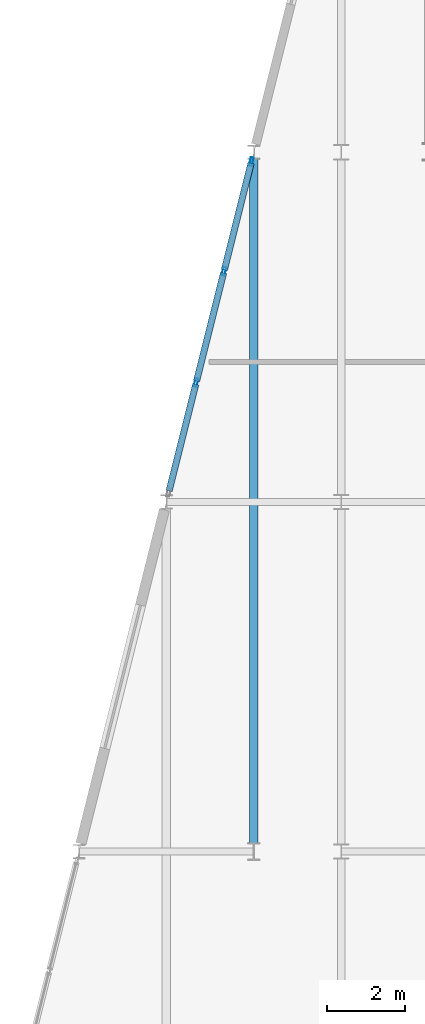
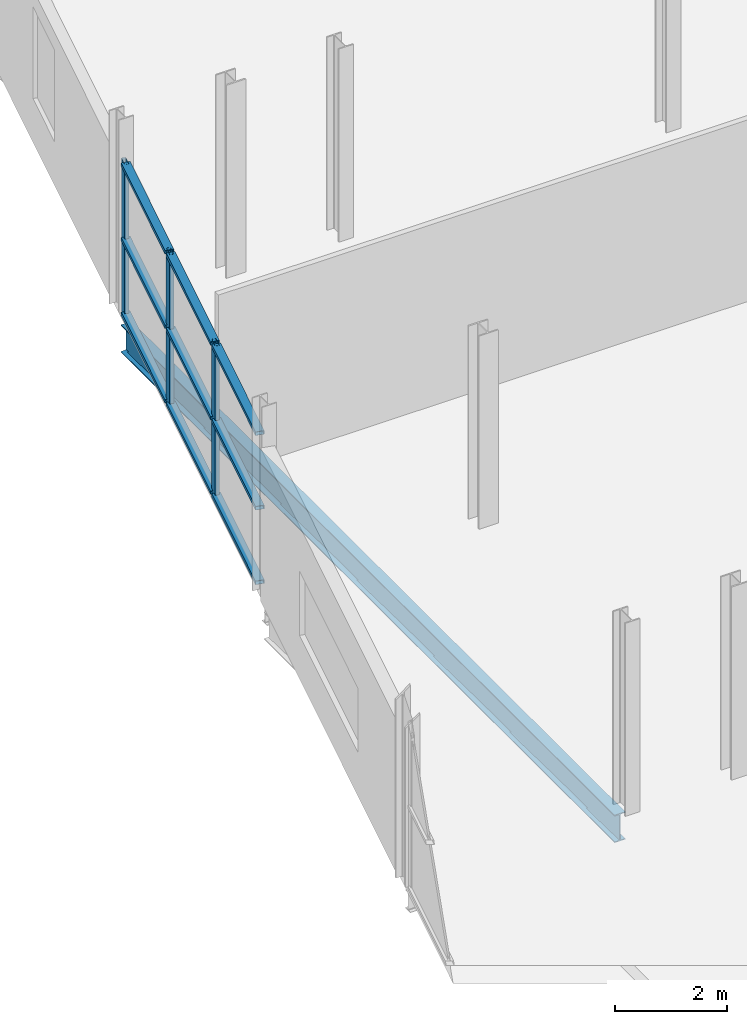
# One storey, part 57 of 140: 12 members, 1 beam, 1 element without a shape of its own.
"""IFC4 building model written with IfcOpenShell, lengths in metres."""

import ifcopenshell
import ifcopenshell.guid

model = None  # the IFC model being written
_history = None  # IfcOwnerHistory: only IFC2X3 demands one
_inside = {}  # id of a spatial element -> (the spatial element, [elements in it])
_under = {}  # id of a project, library or spatial element -> (it, [spatial elements below it])
_declared = {}  # id of a project -> (the project, [libraries it declares])
_typed = {}  # id of a type object -> (the type object, [elements of that type])
_made_of = {}  # id of a material, layer set ... -> (it, [elements and type objects made of it])


def new_model(schema):
    """Start an empty IFC model of exactly this schema.

    Asked for "IFC4X3", IfcOpenShell would pick the latest addendum, in which some entities
    have other attributes; the version numbers below select the first issue.
    IFC2X3 requires an IfcOwnerHistory on every rooted entity: one is made here for all.
    """
    global model, _history
    if schema == "IFC4X3":
        model = ifcopenshell.file(schema_version=(4, 3, 0, 0))
    else:
        model = ifcopenshell.file(schema=schema)
    _inside.clear()
    _under.clear()
    _declared.clear()
    _typed.clear()
    _made_of.clear()
    _history = None
    if model.schema == "IFC2X3":
        org = make("IfcOrganization", Name="unknown")
        user = make(
            "IfcPersonAndOrganization",
            ThePerson=make("IfcPerson", FamilyName="unknown"),
            TheOrganization=org,
        )
        app = make(
            "IfcApplication",
            ApplicationDeveloper=org,
            Version="unknown",
            ApplicationFullName="unknown",
            ApplicationIdentifier="unknown",
        )
        _history = make(
            "IfcOwnerHistory",
            OwningUser=user,
            OwningApplication=app,
            ChangeAction="ADDED",
            CreationDate=0,
        )
    return model


def make(cls, **values):
    """One entity of the class cls with the attributes given. An attribute that is None is left unset."""
    return model.create_entity(
        cls, **{name: value for name, value in values.items() if value is not None}
    )


def rooted(cls, **values):
    """An entity with a GlobalId (a new one), such as an element, a storey or a relation."""
    return make(cls, GlobalId=ifcopenshell.guid.new(), OwnerHistory=_history, **values)


def si_unit(unit_type, name, prefix=None):
    """IfcSIUnit, for example si_unit("LENGTHUNIT", "METRE", prefix="MILLI")."""
    return make("IfcSIUnit", UnitType=unit_type, Prefix=prefix, Name=name)


def assignment(units):
    """IfcUnitAssignment: the units of a project."""
    return None if units is None else make("IfcUnitAssignment", Units=units)


def point(xyz):
    """IfcCartesianPoint."""
    return None if xyz is None else make("IfcCartesianPoint", Coordinates=xyz)


def direction(xyz):
    """IfcDirection."""
    return None if xyz is None else make("IfcDirection", DirectionRatios=xyz)


def frame(location, z_axis=None, x_axis=None):
    """IfcAxis2Placement3D, a coordinate frame: its origin and axes. An axis left out is left unset."""
    return make(
        "IfcAxis2Placement3D",
        Location=point(location),
        Axis=direction(z_axis),
        RefDirection=direction(x_axis),
    )


def frame_2d(location, x_axis=None):
    """IfcAxis2Placement2D, a coordinate frame in the plane: its origin and x axis."""
    return make(
        "IfcAxis2Placement2D", Location=point(location), RefDirection=direction(x_axis)
    )


def origin():
    """The frame at (0, 0, 0) with its axes left unset."""
    return frame((0.0, 0.0, 0.0))


def origin_2d():
    """The frame at (0, 0) in the plane with its x axis left unset."""
    return frame_2d((0.0, 0.0))


def place(relative_to, where):
    """IfcLocalPlacement: puts the frame where relative to a parent placement (None: the world)."""
    return make(
        "IfcLocalPlacement", PlacementRelTo=relative_to, RelativePlacement=where
    )


def context(
    kind, dimensions, precision=None, world=None, true_north=None, identifier=None
):
    """IfcGeometricRepresentationContext, for example the 3D "Model" context."""
    return make(
        "IfcGeometricRepresentationContext",
        ContextIdentifier=identifier,
        ContextType=kind,
        CoordinateSpaceDimension=dimensions,
        Precision=precision,
        WorldCoordinateSystem=world,
        TrueNorth=true_north,
    )


def subcontext(parent, identifier, kind, view, scale=None):
    """IfcGeometricRepresentationSubContext, for example "Body" below "Model"."""
    return make(
        "IfcGeometricRepresentationSubContext",
        ContextIdentifier=identifier,
        ContextType=kind,
        ParentContext=parent,
        TargetScale=scale,
        TargetView=view,
    )


def project(units=None, contexts=None):
    """IfcProject with its units and contexts."""
    return rooted(
        "IfcProject",
        Name="project",
        RepresentationContexts=contexts,
        UnitsInContext=assignment(units),
    )


def spatial(cls, under=None, at=None, **own):
    """A site, building, storey or space (cls), placed at a placement, below another one or the project."""
    s = rooted(cls, ObjectPlacement=at, **own)
    if under is not None:
        _under.setdefault(under.id(), (under, []))[1].append(s)
    return s


def profile(cls, at=None, kind="AREA", **sizes):
    """A parametric profile (cls). Its sizes go by their IFC names, for example OverallWidth=200.0."""
    return make(cls, ProfileType=kind, Position=at, **sizes)


def hollow_rectangle(**sizes):
    """IfcRectangleHollowProfileDef."""
    return profile("IfcRectangleHollowProfileDef", **sizes)


def i_section(**sizes):
    """IfcIShapeProfileDef."""
    return profile("IfcIShapeProfileDef", **sizes)


def extrude(swept, where, along, depth):
    """IfcExtrudedAreaSolid: the profile swept, set in the frame where, extruded along a direction by depth."""
    return make(
        "IfcExtrudedAreaSolid",
        SweptArea=swept,
        Position=where,
        ExtrudedDirection=direction(along),
        Depth=depth,
    )


def shape(context_of_items, identifier, shape_type, items):
    """IfcShapeRepresentation: the items that make up one representation, for example the "Body"."""
    return make(
        "IfcShapeRepresentation",
        ContextOfItems=context_of_items,
        RepresentationIdentifier=identifier,
        RepresentationType=shape_type,
        Items=items,
    )


def material(Name=None, Category=None):
    """IfcMaterial."""
    return make("IfcMaterial", Name=Name, Category=Category)


def layer(
    of_material, thickness, ventilated=None, Name=None, Category=None, Priority=None
):
    """IfcMaterialLayer: one layer of a wall or slab, of a material (None: an air gap)."""
    return make(
        "IfcMaterialLayer",
        Material=of_material,
        LayerThickness=thickness,
        IsVentilated=ventilated,
        Name=Name,
        Category=Category,
        Priority=Priority,
    )


def layer_set(layers, Name=None):
    """IfcMaterialLayerSet."""
    return make("IfcMaterialLayerSet", MaterialLayers=layers, LayerSetName=Name)


def material_profile(
    of_material, cross_section, Name=None, Category=None, Priority=None
):
    """IfcMaterialProfile: a cross section and its material."""
    return make(
        "IfcMaterialProfile",
        Name=Name,
        Material=of_material,
        Profile=cross_section,
        Priority=Priority,
        Category=Category,
    )


def profile_set(profiles, Name=None, composite=None):
    """IfcMaterialProfileSet."""
    return make(
        "IfcMaterialProfileSet",
        Name=Name,
        MaterialProfiles=profiles,
        CompositeProfile=composite,
    )


def made_of(thing, what):
    """Note that an element or type object is made of a material, layer set ...; save() writes the relation."""
    if what is not None:
        _made_of.setdefault(what.id(), (what, []))[1].append(thing)
    return thing


def type_object(cls, material=None, **own):
    """A type object (cls), such as IfcWallType, which elements share."""
    return made_of(rooted(cls, **own), material)


def element(
    cls,
    number,
    at=None,
    inside=None,
    cuts=None,
    type_object=None,
    material=None,
    context=None,
    identifier="Body",
    shape_type=None,
    held_by="IfcProductDefinitionShape",
    body=None,
    shapes=None,
    **own,
):
    """One element of the class cls, such as IfcWall. Its Tag is "e" and its number.

    at: its placement. inside: the storey or other place that contains it. cuts: it is an
    opening in that element (IfcRelVoidsElement). A single representation is given by context,
    identifier, shape_type and body (its items); several are given by shapes. held_by: the class
    of the entity that holds the representations. save() writes the other relations.
    """
    e = rooted(cls, Tag="e%d" % number, ObjectPlacement=at, **own)
    if body is not None:
        shapes = [shape(context, identifier, shape_type, body)]
    if shapes is not None:
        e.Representation = make(held_by, Representations=shapes)
    if inside is not None:
        _inside.setdefault(inside.id(), (inside, []))[1].append(e)
    if cuts is not None:
        rooted(
            "IfcRelVoidsElement", RelatingBuildingElement=cuts, RelatedOpeningElement=e
        )
    if type_object is not None:
        _typed.setdefault(type_object.id(), (type_object, []))[1].append(e)
    return made_of(e, material)


def aggregate(whole, parts):
    """IfcRelAggregates: a whole, such as a stair, and the parts it consists of."""
    return rooted("IfcRelAggregates", RelatingObject=whole, RelatedObjects=parts)


def save(model, path):
    """Write the relations noted so far, then the file.

    IfcRelAggregates (storeys below a building ...), IfcRelContainedInSpatialStructure (elements
    in a storey), IfcRelDefinesByType, IfcRelAssociatesMaterial and IfcRelDeclares: one each for
    every whole, place, type object, material and project.
    """
    for whole, parts in _under.values():
        aggregate(whole, parts)
    for where, things in _inside.values():
        rooted(
            "IfcRelContainedInSpatialStructure",
            RelatedElements=things,
            RelatingStructure=where,
        )
    for kind, things in _typed.values():
        rooted("IfcRelDefinesByType", RelatedObjects=things, RelatingType=kind)
    for what, things in _made_of.values():
        rooted("IfcRelAssociatesMaterial", RelatedObjects=things, RelatingMaterial=what)
    for by, libraries in _declared.values():
        rooted("IfcRelDeclares", RelatingContext=by, RelatedDefinitions=libraries)
    model.write(path)


model = new_model("IFC4")

# Units and contexts
model_context = context("Model", 3, precision=1e-05, world=origin(), true_north=direction((0.0, 1.0)))
body_context = subcontext(model_context, "Body", "Model", "MODEL_VIEW")
ifc_project = project(units=[si_unit("LENGTHUNIT", "METRE"), si_unit("AREAUNIT", "SQUARE_METRE"), si_unit("VOLUMEUNIT", "CUBIC_METRE"), si_unit("PLANEANGLEUNIT", "RADIAN"), si_unit("MASSUNIT", "GRAM", prefix="KILO")], contexts=[model_context])

# Site, building, storey
site_placement = place(None, origin())
site = spatial("IfcSite", under=ifc_project, at=site_placement, CompositionType="ELEMENT")
building_placement = place(site_placement, origin())
building = spatial("IfcBuilding", under=site, at=building_placement, Name="Deido Ridge Mobility Hub", CompositionType="ELEMENT")
storey_placement = place(building_placement, origin())
storey = spatial("IfcBuildingStorey", under=building, at=storey_placement, Name="L00", CompositionType="ELEMENT", Elevation=0.0)

# Beam
ifc_material_1 = material(Name="Steel S355J2 EN 10025-2", Category="steel")
ifc_material_profile_1 = material_profile(ifc_material_1, i_section(OverallWidth=0.219970703125, OverallDepth=0.60009765625, WebThickness=0.011962890625, FlangeThickness=0.01904296875, FilletRadius=0.02392578125, at=origin_2d()), Name="IPE 600")
ifc_profile_set_1 = profile_set([ifc_material_profile_1], Name="Steel S355J2 EN 10025-2")
beam_type = type_object("IfcBeamType", Name="BM-IPE600", PredefinedType="BEAM", material=ifc_profile_set_1)
beam_placement = place(storey_placement, frame((123.75, 9.22509765625, -0.56005859375), z_axis=(0.0, 1.0, 0.0), x_axis=(-1.0, 0.0, 0.0)))
element("IfcBeam", 1, at=beam_placement, inside=storey, type_object=beam_type, Name="Floor beam B1", PredefinedType="BEAM", context=body_context, shape_type="SweptSolid", body=[
    extrude(i_section(OverallWidth=0.219970703125, OverallDepth=0.60009765625, WebThickness=0.011962890625, FlangeThickness=0.01904296875, FilletRadius=0.02392578125, at=origin_2d()), origin(), (0.0, 0.0, 1.0), 17.594970703125),
])

# Curtain wall, members
ifc_material_2 = material(Name="Anodised aluminium EN AW-6063 T6", Category="aluminium")
ifc_layer = layer(ifc_material_2, 0.27001953125, Name="Anodised aluminium EN AW-6063 T6")
ifc_layer_set = layer_set([ifc_layer], Name="Anodised aluminium EN AW-6063 T6")
curtain_wall_type = type_object("IfcCurtainWallType", Name="CW-UF-8", PredefinedType="USERDEFINED", material=ifc_layer_set)
curtain_wall_placement = place(storey_placement, origin())
curtain_wall = element("IfcCurtainWall", 2, at=curtain_wall_placement, inside=storey, type_object=curtain_wall_type, Name="Unitised curtain wall CW8", ObjectType="UNITISED FACADE", PredefinedType="USERDEFINED")
ifc_material_profile_2 = material_profile(ifc_material_2, hollow_rectangle(XDim=0.080078125, YDim=0.219970703125, WallThickness=0.00390625, at=origin_2d()), Name="RHS 80x220x4")
ifc_profile_set_2 = profile_set([ifc_material_profile_2], Name="Anodised aluminium EN AW-6063 T6")
member_type_1 = type_object("IfcMemberType", Name="MEM-MUL-80X220", PredefinedType="MULLION", material=ifc_profile_set_2)
member_1_placement = place(storey_placement, frame((122.26708984375, 21.068115234375, 0.0), z_axis=(0.0, 0.0, 1.0), x_axis=(-0.970143828731, 0.242530310632, 0.0)))
member_1 = element("IfcMember", 3, at=member_1_placement, type_object=member_type_1, Name="CW8 mullion 2", PredefinedType="MULLION", context=body_context, shape_type="SweptSolid", body=[
    extrude(hollow_rectangle(XDim=0.080078125, YDim=0.219970703125, WallThickness=0.00390625, at=origin_2d()), origin(), (0.0, 0.0, 1.0), 3.324951171875),
])
member_2_placement = place(storey_placement, frame((122.98291015625, 23.931884765625, 0.0), z_axis=(0.0, 0.0, 1.0), x_axis=(-0.970143828731, 0.242530310632, 0.0)))
member_2 = element("IfcMember", 4, at=member_2_placement, type_object=member_type_1, Name="CW8 mullion 3", PredefinedType="MULLION", context=body_context, shape_type="SweptSolid", body=[
    extrude(hollow_rectangle(XDim=0.080078125, YDim=0.219970703125, WallThickness=0.00390625, at=origin_2d()), origin(), (0.0, 0.0, 1.0), 3.324951171875),
])
member_3_placement = place(storey_placement, frame((123.689208984375, 26.756591796875, 0.0), z_axis=(0.0, 0.0, 1.0), x_axis=(-0.970143828731, 0.242530310632, 0.0)))
member_3 = element("IfcMember", 5, at=member_3_placement, type_object=member_type_1, Name="CW8 mullion 4", PredefinedType="MULLION", context=body_context, shape_type="SweptSolid", body=[
    extrude(hollow_rectangle(XDim=0.080078125, YDim=0.219970703125, WallThickness=0.00390625, at=origin_2d()), origin(), (0.0, 0.0, 1.0), 3.324951171875),
])
ifc_material_profile_3 = material_profile(ifc_material_2, hollow_rectangle(XDim=0.1650390625, YDim=0.080078125, WallThickness=0.00390625, at=origin_2d()), Name="RHS 165x80x4")
ifc_profile_set_3 = profile_set([ifc_material_profile_3], Name="Anodised aluminium EN AW-6063 T6")
member_type_2 = type_object("IfcMemberType", Name="MEM-TRN-165X80", PredefinedType="USERDEFINED", material=ifc_profile_set_3)
member_4_placement = place(storey_placement, frame((121.570556640625, 18.2822265625, 0.0400390625), z_axis=(0.242515339725, 0.970147571248, 0.0), x_axis=(-0.970147571248, 0.242515339725, 0.0)))
member_4 = element("IfcMember", 6, at=member_4_placement, type_object=member_type_2, Name="CW8 transom 1.1", ObjectType="TRANSOM", PredefinedType="USERDEFINED", context=body_context, shape_type="SweptSolid", body=[
    extrude(hollow_rectangle(XDim=0.1650390625, YDim=0.080078125, WallThickness=0.00390625, at=origin_2d()), origin(), (0.0, 0.0, 1.0), 2.831787109375),
])
member_5_placement = place(storey_placement, frame((121.570556640625, 18.2822265625, 1.66259765625), z_axis=(0.242515339725, 0.970147571248, 0.0), x_axis=(-0.970147571248, 0.242515339725, 0.0)))
member_5 = element("IfcMember", 7, at=member_5_placement, type_object=member_type_2, Name="CW8 transom 1.2", ObjectType="TRANSOM", PredefinedType="USERDEFINED", context=body_context, shape_type="SweptSolid", body=[
    extrude(hollow_rectangle(XDim=0.1650390625, YDim=0.080078125, WallThickness=0.00390625, at=origin_2d()), origin(), (0.0, 0.0, 1.0), 2.831787109375),
])
member_6_placement = place(storey_placement, frame((121.570556640625, 18.2822265625, 3.284912109375), z_axis=(0.242515339725, 0.970147571248, 0.0), x_axis=(-0.970147571248, 0.242515339725, 0.0)))
member_6 = element("IfcMember", 8, at=member_6_placement, type_object=member_type_2, Name="CW8 transom 1.3", ObjectType="TRANSOM", PredefinedType="USERDEFINED", context=body_context, shape_type="SweptSolid", body=[
    extrude(hollow_rectangle(XDim=0.1650390625, YDim=0.080078125, WallThickness=0.00390625, at=origin_2d()), origin(), (0.0, 0.0, 1.0), 2.831787109375),
])
member_7_placement = place(storey_placement, frame((122.27685546875, 21.10693359375, 0.0400390625), z_axis=(0.242455612459, 0.970162499784, 0.0), x_axis=(-0.970162499784, 0.242455612459, 0.0)))
member_7 = element("IfcMember", 9, at=member_7_placement, type_object=member_type_2, Name="CW8 transom 2.1", ObjectType="TRANSOM", PredefinedType="USERDEFINED", context=body_context, shape_type="SweptSolid", body=[
    extrude(hollow_rectangle(XDim=0.1650390625, YDim=0.080078125, WallThickness=0.00390625, at=origin_2d()), origin(), (0.0, 0.0, 1.0), 2.871826171875),
])
member_8_placement = place(storey_placement, frame((122.27685546875, 21.10693359375, 1.66259765625), z_axis=(0.242455612459, 0.970162499784, 0.0), x_axis=(-0.970162499784, 0.242455612459, 0.0)))
member_8 = element("IfcMember", 10, at=member_8_placement, type_object=member_type_2, Name="CW8 transom 2.2", ObjectType="TRANSOM", PredefinedType="USERDEFINED", context=body_context, shape_type="SweptSolid", body=[
    extrude(hollow_rectangle(XDim=0.1650390625, YDim=0.080078125, WallThickness=0.00390625, at=origin_2d()), origin(), (0.0, 0.0, 1.0), 2.871826171875),
])
member_9_placement = place(storey_placement, frame((122.27685546875, 21.10693359375, 3.284912109375), z_axis=(0.242455612459, 0.970162499784, 0.0), x_axis=(-0.970162499784, 0.242455612459, 0.0)))
member_9 = element("IfcMember", 11, at=member_9_placement, type_object=member_type_2, Name="CW8 transom 2.3", ObjectType="TRANSOM", PredefinedType="USERDEFINED", context=body_context, shape_type="SweptSolid", body=[
    extrude(hollow_rectangle(XDim=0.1650390625, YDim=0.080078125, WallThickness=0.00390625, at=origin_2d()), origin(), (0.0, 0.0, 1.0), 2.871826171875),
])
member_10_placement = place(storey_placement, frame((122.99267578125, 23.970458984375, 0.0400390625), z_axis=(0.242515339725, 0.970147571248, 0.0), x_axis=(-0.970147571248, 0.242515339725, 0.0)))
member_10 = element("IfcMember", 12, at=member_10_placement, type_object=member_type_2, Name="CW8 transom 3.1", ObjectType="TRANSOM", PredefinedType="USERDEFINED", context=body_context, shape_type="SweptSolid", body=[
    extrude(hollow_rectangle(XDim=0.1650390625, YDim=0.080078125, WallThickness=0.00390625, at=origin_2d()), origin(), (0.0, 0.0, 1.0), 2.831787109375),
])
member_11_placement = place(storey_placement, frame((122.99267578125, 23.970458984375, 1.66259765625), z_axis=(0.242515339725, 0.970147571248, 0.0), x_axis=(-0.970147571248, 0.242515339725, 0.0)))
member_11 = element("IfcMember", 13, at=member_11_placement, type_object=member_type_2, Name="CW8 transom 3.2", ObjectType="TRANSOM", PredefinedType="USERDEFINED", context=body_context, shape_type="SweptSolid", body=[
    extrude(hollow_rectangle(XDim=0.1650390625, YDim=0.080078125, WallThickness=0.00390625, at=origin_2d()), origin(), (0.0, 0.0, 1.0), 2.831787109375),
])
member_12_placement = place(storey_placement, frame((122.99267578125, 23.970458984375, 3.284912109375), z_axis=(0.242515339725, 0.970147571248, 0.0), x_axis=(-0.970147571248, 0.242515339725, 0.0)))
member_12 = element("IfcMember", 14, at=member_12_placement, type_object=member_type_2, Name="CW8 transom 3.3", ObjectType="TRANSOM", PredefinedType="USERDEFINED", context=body_context, shape_type="SweptSolid", body=[
    extrude(hollow_rectangle(XDim=0.1650390625, YDim=0.080078125, WallThickness=0.00390625, at=origin_2d()), origin(), (0.0, 0.0, 1.0), 2.831787109375),
])
aggregate(curtain_wall, [member_1, member_2, member_3, member_4, member_5, member_6, member_7, member_8, member_9, member_10, member_11, member_12])

save(model, "model.ifc")
